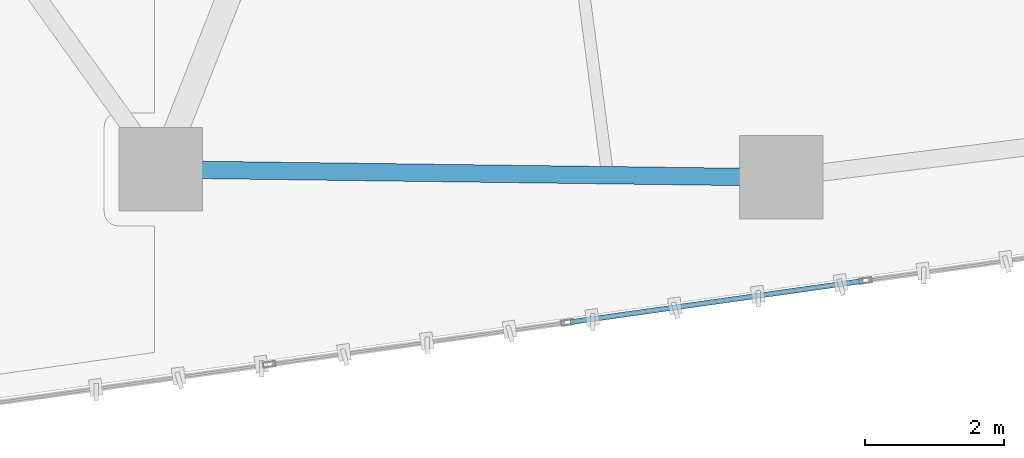
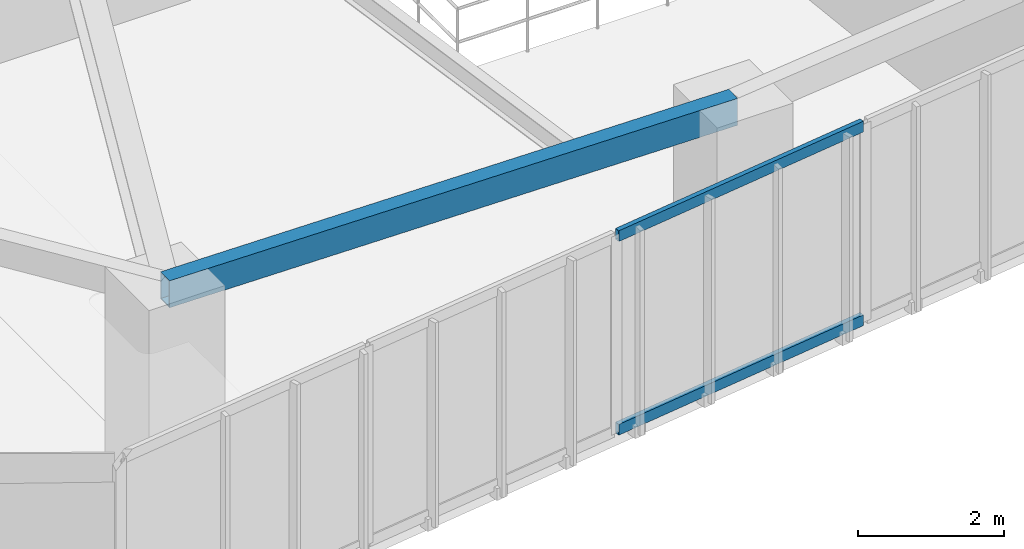
# One storey, part 3 of 24: 2 members, 1 beam, 1 element without a shape of its own.
"""IFC4 building model written with IfcOpenShell, lengths in metres."""

from ifc_helpers import new_model, si_unit, direction, frame, origin, origin_2d, place, context, subcontext, project, spatial, hollow_rectangle, extrude, source, transform, mapped, material, layer, layer_set, material_profile, profile_set, type_object, type_shapes, element, aggregate, save


model = new_model("IFC4")

# Units and contexts
model_context = context("Model", 3, precision=1e-05, world=origin(), true_north=direction((0.0, 1.0)))
body_context = subcontext(model_context, "Body", "Model", "MODEL_VIEW")
ifc_project = project(units=[si_unit("LENGTHUNIT", "METRE"), si_unit("AREAUNIT", "SQUARE_METRE"), si_unit("VOLUMEUNIT", "CUBIC_METRE"), si_unit("PLANEANGLEUNIT", "RADIAN"), si_unit("MASSUNIT", "GRAM", prefix="KILO")], contexts=[model_context])

# Site, building, storey
site_placement = place(None, origin())
site = spatial("IfcSite", under=ifc_project, at=site_placement, CompositionType="ELEMENT")
building_placement = place(site_placement, origin())
building = spatial("IfcBuilding", under=site, at=building_placement, Name="Talar Marvaseh", CompositionType="ELEMENT")
storey_placement = place(building_placement, frame((0.0, 0.0, 114.60009765625)))
storey = spatial("IfcBuildingStorey", under=building, at=storey_placement, Name="L29", CompositionType="ELEMENT", Elevation=114.60009765625)

# Beam
ifc_material_1 = material(Name="Steel S355", Category="steel")
ifc_material_profile_1 = material_profile(ifc_material_1, hollow_rectangle(XDim=0.25, YDim=0.449951171875, WallThickness=0.01611328125, at=origin_2d()), Name="RHS450x250x16")
ifc_profile_set_1 = profile_set([ifc_material_profile_1], Name="Steel S355")
beam_type = type_object("IfcBeamType", Name="Zone 2 Perimeter Spandrel Beam RHS450x250x16", PredefinedType="SPANDREL", material=ifc_profile_set_1)
beam_placement = place(storey_placement, frame((22.804931640625, 13.18310546875, 3.0849609375), z_axis=(-0.999915383581, 0.013008677034, 0.0), x_axis=(-0.013008677034, -0.999915383581, 0.0)))
element("IfcBeam", 1, at=beam_placement, inside=storey, type_object=beam_type, Name="L29 Zone 2 Perimeter Spandrel Beam RHS450x250x16", PredefinedType="SPANDREL", context=body_context, shape_type="SweptSolid", body=[
    extrude(hollow_rectangle(XDim=0.25, YDim=0.449951171875, WallThickness=0.01611328125, at=origin_2d()), origin(), (0.0, 0.0, 1.0), 8.91455078125),
])

# Curtain wall, members
ifc_material_2 = material(Name="Architectural Aluminium", Category="aluminium")
ifc_layer = layer(ifc_material_2, 0.199951171875)
ifc_layer_set = layer_set([ifc_layer], Name="Architectural Aluminium")
curtain_wall_type = type_object("IfcCurtainWallType", Name="Unitised Acoustic Library Curtain Wall Z2", PredefinedType="NOTDEFINED", material=ifc_layer_set)
curtain_wall_placement = place(storey_placement, origin())
curtain_wall = element("IfcCurtainWall", 2, at=curtain_wall_placement, inside=storey, type_object=curtain_wall_type, Name="L29 Unitised Acoustic Library Curtain Wall Z2", PredefinedType="NOTDEFINED")
ifc_material_profile_2 = material_profile(ifc_material_2, hollow_rectangle(XDim=0.074951171875, YDim=0.179931640625, WallThickness=0.0048828125, at=origin_2d()), Name="RHS180x75x5")
ifc_profile_set_2 = profile_set([ifc_material_profile_2], Name="Architectural Aluminium")
member_type = type_object("IfcMemberType", Name="Unitised Curtain Wall Transom RHS180x75x5", PredefinedType="USERDEFINED", material=ifc_profile_set_2)
shared_shape = source(origin(), body_context, "Body", "SweptSolid", [
    extrude(hollow_rectangle(XDim=0.074951171875, YDim=0.179931640625, WallThickness=0.0048828125, at=origin_2d()), origin(), (0.0, 0.0, 1.0), 4.24853515625),
])
type_shapes(member_type, [shared_shape])
member_1_placement = place(storey_placement, frame((23.9775390625, 11.697509765625, 0.037353515625), z_axis=(-0.990242706305, -0.139353444916, 0.0), x_axis=(0.139353444916, -0.990242706305, 0.0)))
member_1 = element("IfcMember", 3, at=member_1_placement, type_object=member_type, Name="CW-Z2 transom 3.1", ObjectType="TRANSOM", PredefinedType="USERDEFINED", context=body_context, shape_type="MappedRepresentation", body=[
    mapped(shared_shape, transform((0.0, 0.0, 0.0), x_axis=(1.0, 0.0, 0.0), y_axis=(0.0, 1.0, 0.0), z_axis=(0.0, 0.0, 1.0), scale=1.0)),
])
member_2_placement = place(storey_placement, frame((23.9775390625, 11.697509765625, 3.2724609375), z_axis=(-0.990242706305, -0.139353444916, 0.0), x_axis=(0.139353444916, -0.990242706305, 0.0)))
member_2 = element("IfcMember", 4, at=member_2_placement, type_object=member_type, Name="CW-Z2 transom 3.2", ObjectType="TRANSOM", PredefinedType="USERDEFINED", context=body_context, shape_type="MappedRepresentation", body=[
    mapped(shared_shape, transform((0.0, 0.0, 0.0), x_axis=(1.0, 0.0, 0.0), y_axis=(0.0, 1.0, 0.0), z_axis=(0.0, 0.0, 1.0), scale=1.0)),
])
aggregate(curtain_wall, [member_1, member_2])

save(model, "model.ifc")
